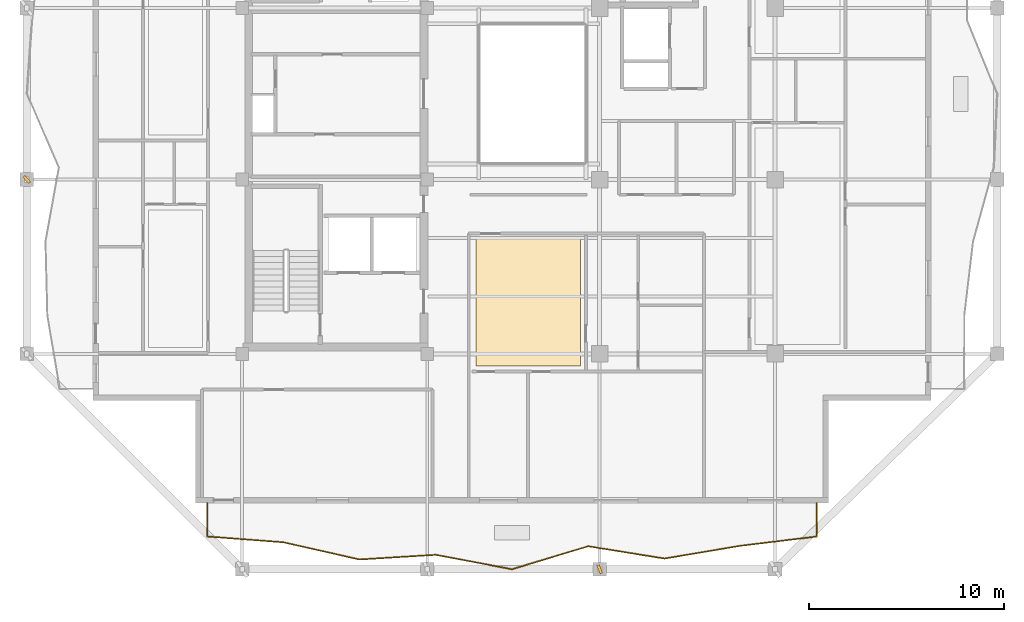
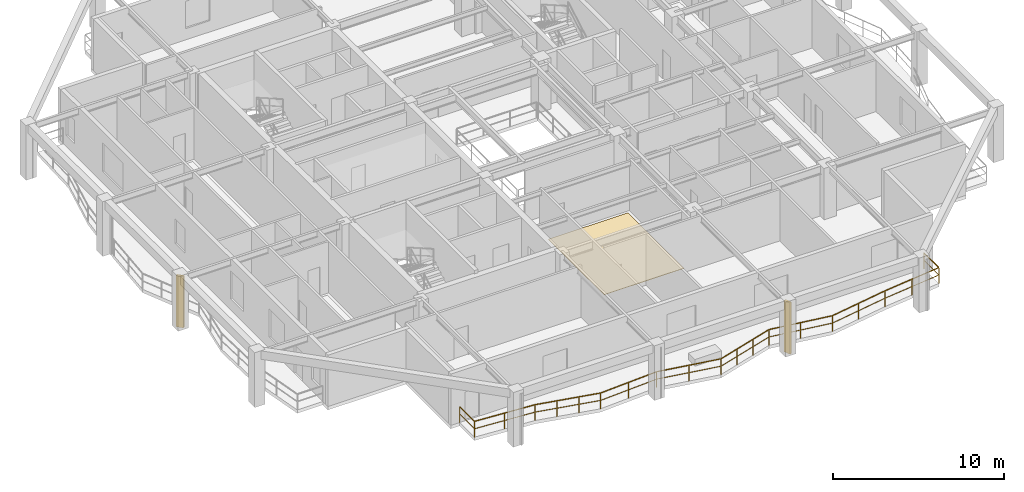
# One storey, part 8 of 12: 2 shading devices, 1 covering, 1 railing.
"""IFC4 building model written with IfcOpenShell, lengths in metres."""

from ifc_helpers import new_model, si_unit, direction, frame, origin, origin_2d, place, context, subcontext, project, spatial, polyline, rectangle, outline, extrude, material, layer, layer_set, type_object, element, save


model = new_model("IFC4")

# Units and contexts
model_context = context("Model", 3, precision=1e-05, world=origin(), true_north=direction((0.0, 1.0)))
body_context = subcontext(model_context, "Body", "Model", "MODEL_VIEW")
ifc_project = project(units=[si_unit("LENGTHUNIT", "METRE"), si_unit("AREAUNIT", "SQUARE_METRE"), si_unit("VOLUMEUNIT", "CUBIC_METRE"), si_unit("PLANEANGLEUNIT", "RADIAN"), si_unit("MASSUNIT", "GRAM", prefix="KILO")], contexts=[model_context])

# Site, building, storey
site_placement = place(None, origin())
site = spatial("IfcSite", under=ifc_project, at=site_placement, CompositionType="ELEMENT")
building_placement = place(site_placement, origin())
building = spatial("IfcBuilding", under=site, at=building_placement, Name="Kundavana Baori Tower", CompositionType="ELEMENT")
storey_placement = place(building_placement, frame((0.0, 0.0, 245.300048828125)))
storey = spatial("IfcBuildingStorey", under=building, at=storey_placement, Name="L60", CompositionType="ELEMENT", Elevation=245.300048828125)

# Covering
ifc_material_1 = material(Name="Honed Kota Stone and Terrazzo Flooring", Category="masonry")
ifc_layer = layer(ifc_material_1, 0.030029296875, Name="COV-INT-FLR")
ifc_layer_set = layer_set([ifc_layer], Name="Honed Kota Stone and Terrazzo Flooring")
covering_type = type_object("IfcCoveringType", Name="COV-INT-FLR", PredefinedType="FLOORING", material=ifc_layer_set)
covering_placement = place(storey_placement, origin())
element("IfcCovering", 1, at=covering_placement, inside=storey, type_object=covering_type, Name="L60 Room Finished Stone Flooring 3", PredefinedType="FLOORING", context=body_context, shape_type="SweptSolid", body=[
    extrude(outline(polyline([(27.43994140625, 14.6201171875), (32.81005859375, 14.6201171875), (32.81005859375, 21.139892578125), (27.43994140625, 21.139892578125), (27.43994140625, 14.6201171875)])), origin(), (0.0, 0.0, 1.0), 0.030029296875),
])

# Railing
ifc_material_2 = material(Name="Architectural Patinated Bronze Metalwork")
railing_type = type_object("IfcRailingType", Name="RL-BAL-1150", PredefinedType="BALUSTRADE", material=ifc_material_2)
railing_placement = place(storey_placement, frame((44.949951171875, 7.60009765625, 0.0)))
element("IfcRailing", 2, at=railing_placement, inside=storey, type_object=railing_type, Name="L60 Loggia Balcony Balustrade S", PredefinedType="BALUSTRADE", context=body_context, shape_type="SweptSolid", body=[
    extrude(rectangle(XDim=0.048095703125, YDim=0.048095703125, at=origin_2d()), frame((0.0, 0.0, 1.1259765625), z_axis=(0.0, -1.0, 0.0), x_axis=(1.0, 0.0, 0.0)), (0.0, 0.0, 1.0), 1.72021484375),
    extrude(rectangle(XDim=0.03125, YDim=0.03125, at=origin_2d()), frame((0.0, 0.0, 0.597900390625), z_axis=(0.0, -1.0, 0.0), x_axis=(1.0, 0.0, 0.0)), (0.0, 0.0, 1.0), 1.72021484375),
    extrude(rectangle(XDim=0.048095703125, YDim=0.048095703125, at=origin_2d()), frame((0.0, -1.72021484375, 1.1259765625), z_axis=(-0.992683234767, -0.120747651786, 0.0), x_axis=(0.120747651786, -0.992683234767, 0.0)), (0.0, 0.0, 1.0), 3.940673828125),
    extrude(rectangle(XDim=0.03125, YDim=0.03125, at=origin_2d()), frame((0.0, -1.72021484375, 0.597900390625), z_axis=(-0.992683234767, -0.120747651786, 0.0), x_axis=(0.120747651786, -0.992683234767, 0.0)), (0.0, 0.0, 1.0), 3.940673828125),
    extrude(rectangle(XDim=0.048095703125, YDim=0.048095703125, at=origin_2d()), frame((-3.911865234375, -2.196044921875, 1.1259765625), z_axis=(-0.986156775213, -0.165815604517, 0.0), x_axis=(0.165815604517, -0.986156775213, 0.0)), (0.0, 0.0, 1.0), 3.968017578125),
    extrude(rectangle(XDim=0.03125, YDim=0.03125, at=origin_2d()), frame((-3.911865234375, -2.196044921875, 0.597900390625), z_axis=(-0.986156775213, -0.165815604517, 0.0), x_axis=(0.165815604517, -0.986156775213, 0.0)), (0.0, 0.0, 1.0), 3.968017578125),
    extrude(rectangle(XDim=0.048095703125, YDim=0.048095703125, at=origin_2d()), frame((-7.824951171875, -2.85400390625, 1.1259765625), z_axis=(-0.987246119047, 0.159201446057, 0.0), x_axis=(-0.159201446057, -0.987246119047, 0.0)), (0.0, 0.0, 1.0), 3.962646484375),
    extrude(rectangle(XDim=0.03125, YDim=0.03125, at=origin_2d()), frame((-7.824951171875, -2.85400390625, 0.597900390625), z_axis=(-0.987246119047, 0.159201446057, 0.0), x_axis=(-0.159201446057, -0.987246119047, 0.0)), (0.0, 0.0, 1.0), 3.962646484375),
    extrude(rectangle(XDim=0.048095703125, YDim=0.048095703125, at=origin_2d()), frame((-11.737060546875, -2.22314453125, 1.1259765625), z_axis=(-0.957613884145, -0.288054940754, 0.0), x_axis=(0.288054940754, -0.957613884145, 0.0)), (0.0, 0.0, 1.0), 4.0859375),
    extrude(rectangle(XDim=0.03125, YDim=0.03125, at=origin_2d()), frame((-11.737060546875, -2.22314453125, 0.597900390625), z_axis=(-0.957613884145, -0.288054940754, 0.0), x_axis=(0.288054940754, -0.957613884145, 0.0)), (0.0, 0.0, 1.0), 4.0859375),
    extrude(rectangle(XDim=0.048095703125, YDim=0.048095703125, at=origin_2d()), frame((-15.64990234375, -3.400146484375, 1.1259765625), z_axis=(-0.982666080479, 0.185384395987, 0.0), x_axis=(-0.185384395987, -0.982666080479, 0.0)), (0.0, 0.0, 1.0), 3.981201171875),
    extrude(rectangle(XDim=0.03125, YDim=0.03125, at=origin_2d()), frame((-15.64990234375, -3.400146484375, 0.597900390625), z_axis=(-0.982666080479, 0.185384395987, 0.0), x_axis=(-0.185384395987, -0.982666080479, 0.0)), (0.0, 0.0, 1.0), 3.981201171875),
    extrude(rectangle(XDim=0.048095703125, YDim=0.048095703125, at=origin_2d()), frame((-19.56201171875, -2.662109375, 1.1259765625), z_axis=(-0.998124360554, -0.061218958409, 0.0), x_axis=(0.061218958409, -0.998124360554, 0.0)), (0.0, 0.0, 1.0), 3.920166015625),
    extrude(rectangle(XDim=0.03125, YDim=0.03125, at=origin_2d()), frame((-19.56201171875, -2.662109375, 0.597900390625), z_axis=(-0.998124360554, -0.061218958409, 0.0), x_axis=(0.061218958409, -0.998124360554, 0.0)), (0.0, 0.0, 1.0), 3.920166015625),
    extrude(rectangle(XDim=0.048095703125, YDim=0.048095703125, at=origin_2d()), frame((-23.474853515625, -2.902099609375, 1.1259765625), z_axis=(-0.975417798649, 0.220363604249, 0.0), x_axis=(-0.220363604249, -0.975417798649, 0.0)), (0.0, 0.0, 1.0), 4.01171875),
    extrude(rectangle(XDim=0.03125, YDim=0.03125, at=origin_2d()), frame((-23.474853515625, -2.902099609375, 0.597900390625), z_axis=(-0.975417798649, 0.220363604249, 0.0), x_axis=(-0.220363604249, -0.975417798649, 0.0)), (0.0, 0.0, 1.0), 4.01171875),
    extrude(rectangle(XDim=0.048095703125, YDim=0.048095703125, at=origin_2d()), frame((-27.387939453125, -2.01806640625, 1.1259765625), z_axis=(-0.997114210173, 0.075916084399, 0.0), x_axis=(-0.075916084399, -0.997114210173, 0.0)), (0.0, 0.0, 1.0), 3.92333984375),
    extrude(rectangle(XDim=0.03125, YDim=0.03125, at=origin_2d()), frame((-27.387939453125, -2.01806640625, 0.597900390625), z_axis=(-0.997114210173, 0.075916084399, 0.0), x_axis=(-0.075916084399, -0.997114210173, 0.0)), (0.0, 0.0, 1.0), 3.92333984375),
    extrude(rectangle(XDim=0.048095703125, YDim=0.048095703125, at=origin_2d()), frame((-31.300048828125, -1.72021484375, 1.1259765625), z_axis=(0.0, 1.0, 0.0), x_axis=(-1.0, 0.0, 0.0)), (0.0, 0.0, 1.0), 1.72021484375),
    extrude(rectangle(XDim=0.03125, YDim=0.03125, at=origin_2d()), frame((-31.300048828125, -1.72021484375, 0.597900390625), z_axis=(0.0, 1.0, 0.0), x_axis=(-1.0, 0.0, 0.0)), (0.0, 0.0, 1.0), 1.72021484375),
    extrude(rectangle(XDim=0.0419921875, YDim=0.0419921875, at=origin_2d()), origin(), (0.0, 0.0, 1.0), 1.101806640625),
    extrude(rectangle(XDim=0.0419921875, YDim=0.0419921875, at=origin_2d()), frame((0.0, -1.72021484375, 0.0)), (0.0, 0.0, 1.0), 1.101806640625),
    extrude(rectangle(XDim=0.0419921875, YDim=0.0419921875, at=origin_2d()), frame((-1.9560546875, -1.9580078125, 0.0)), (0.0, 0.0, 1.0), 1.101806640625),
    extrude(rectangle(XDim=0.0419921875, YDim=0.0419921875, at=origin_2d()), frame((-3.911865234375, -2.196044921875, 0.0)), (0.0, 0.0, 1.0), 1.101806640625),
    extrude(rectangle(XDim=0.0419921875, YDim=0.0419921875, at=origin_2d()), frame((-5.868408203125, -2.52490234375, 0.0)), (0.0, 0.0, 1.0), 1.101806640625),
    extrude(rectangle(XDim=0.0419921875, YDim=0.0419921875, at=origin_2d()), frame((-7.824951171875, -2.85400390625, 0.0)), (0.0, 0.0, 1.0), 1.101806640625),
    extrude(rectangle(XDim=0.0419921875, YDim=0.0419921875, at=origin_2d()), frame((-9.781005859375, -2.53857421875, 0.0)), (0.0, 0.0, 1.0), 1.101806640625),
    extrude(rectangle(XDim=0.0419921875, YDim=0.0419921875, at=origin_2d()), frame((-11.737060546875, -2.22314453125, 0.0)), (0.0, 0.0, 1.0), 1.101806640625),
    extrude(rectangle(XDim=0.0419921875, YDim=0.0419921875, at=origin_2d()), frame((-13.041259765625, -2.615478515625, 0.0)), (0.0, 0.0, 1.0), 1.101806640625),
    extrude(rectangle(XDim=0.0419921875, YDim=0.0419921875, at=origin_2d()), frame((-14.345703125, -3.0078125, 0.0)), (0.0, 0.0, 1.0), 1.101806640625),
    extrude(rectangle(XDim=0.0419921875, YDim=0.0419921875, at=origin_2d()), frame((-15.64990234375, -3.400146484375, 0.0)), (0.0, 0.0, 1.0), 1.101806640625),
    extrude(rectangle(XDim=0.0419921875, YDim=0.0419921875, at=origin_2d()), frame((-17.60595703125, -3.03125, 0.0)), (0.0, 0.0, 1.0), 1.101806640625),
    extrude(rectangle(XDim=0.0419921875, YDim=0.0419921875, at=origin_2d()), frame((-19.56201171875, -2.662109375, 0.0)), (0.0, 0.0, 1.0), 1.101806640625),
    extrude(rectangle(XDim=0.0419921875, YDim=0.0419921875, at=origin_2d()), frame((-21.5185546875, -2.7822265625, 0.0)), (0.0, 0.0, 1.0), 1.101806640625),
    extrude(rectangle(XDim=0.0419921875, YDim=0.0419921875, at=origin_2d()), frame((-23.474853515625, -2.902099609375, 0.0)), (0.0, 0.0, 1.0), 1.101806640625),
    extrude(rectangle(XDim=0.0419921875, YDim=0.0419921875, at=origin_2d()), frame((-24.779296875, -2.607421875, 0.0)), (0.0, 0.0, 1.0), 1.101806640625),
    extrude(rectangle(XDim=0.0419921875, YDim=0.0419921875, at=origin_2d()), frame((-26.08349609375, -2.312744140625, 0.0)), (0.0, 0.0, 1.0), 1.101806640625),
    extrude(rectangle(XDim=0.0419921875, YDim=0.0419921875, at=origin_2d()), frame((-27.387939453125, -2.01806640625, 0.0)), (0.0, 0.0, 1.0), 1.101806640625),
    extrude(rectangle(XDim=0.0419921875, YDim=0.0419921875, at=origin_2d()), frame((-29.343994140625, -1.869140625, 0.0)), (0.0, 0.0, 1.0), 1.101806640625),
    extrude(rectangle(XDim=0.0419921875, YDim=0.0419921875, at=origin_2d()), frame((-31.300048828125, -1.72021484375, 0.0)), (0.0, 0.0, 1.0), 1.101806640625),
    extrude(rectangle(XDim=0.0419921875, YDim=0.0419921875, at=origin_2d()), frame((-31.300048828125, 0.0, 0.0)), (0.0, 0.0, 1.0), 1.101806640625),
])

# Shading devices
ifc_material_3 = material(Name="Architectural Patinated Bronze Metalwork")
shading_device_type = type_object("IfcShadingDeviceType", Name="SHD-LOUV-450", PredefinedType="SHUTTER", material=ifc_material_3)
for number, where, z_axis, x_axis, name in (
    (3, (33.800048828125, 4.199951171875, 0.0), (0.0, 0.0, 1.0), (0.920913521335, 0.389766963995, 0.0), "L60 Sweeping Dholpur Sandstone Facade Fin 3"),
    (4, (4.39990234375, 24.199951171875, 0.0), (0.0, 0.0, 1.0), (0.748261416163, 0.663403989347, 0.0), "L60 Sweeping Dholpur Sandstone Facade Fin 6"),
):
    element("IfcShadingDevice", number, at=place(storey_placement, frame(where, z_axis=z_axis, x_axis=x_axis)), inside=storey, type_object=shading_device_type, Name=name, PredefinedType="SHUTTER", context=body_context, shape_type="SweptSolid", body=[
        extrude(rectangle(XDim=0.139892578125, YDim=0.449951171875, at=origin_2d()), origin(), (0.0, 0.0, 1.0), 3.659912109375),
    ])

save(model, "model.ifc")
